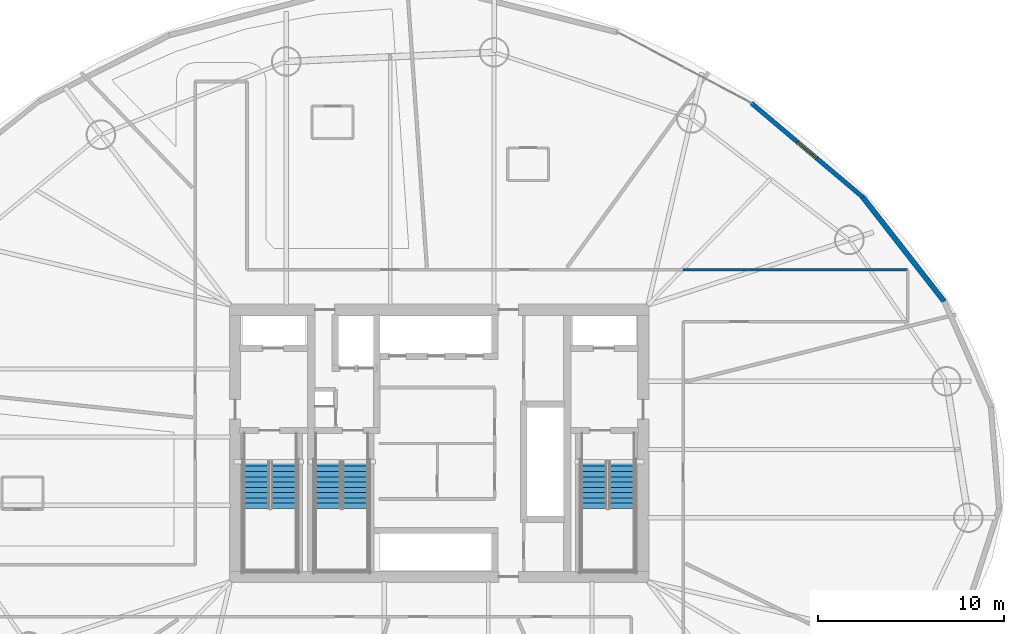
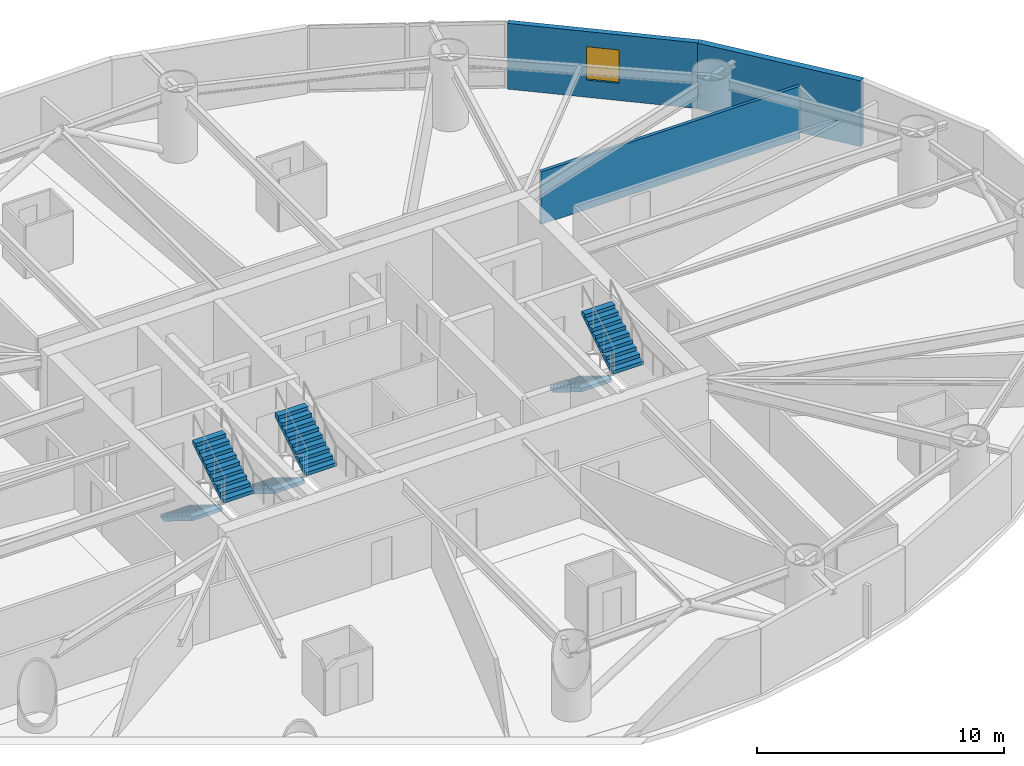
# One storey, part 15 of 19: 6 stair flights, 3 walls, 1 window, 1 opening, 3 elements without a shape of their own.
"""IFC4 building model written with IfcOpenShell, lengths in metres."""

from ifc_helpers import new_model, si_unit, direction, frame, frame_2d, origin, place, context, subcontext, project, spatial, polyline, rectangle, outline, extrude, material, layer, layer_set, type_object, element, fill, aggregate, save


model = new_model("IFC4")

# Units and contexts
model_context = context("Model", 3, precision=1e-05, world=origin(), true_north=direction((0.0, 1.0)))
body_context = subcontext(model_context, "Body", "Model", "MODEL_VIEW")
ifc_project = project(units=[si_unit("LENGTHUNIT", "METRE"), si_unit("AREAUNIT", "SQUARE_METRE"), si_unit("VOLUMEUNIT", "CUBIC_METRE"), si_unit("PLANEANGLEUNIT", "RADIAN"), si_unit("MASSUNIT", "GRAM", prefix="KILO")], contexts=[model_context])

# Site, building, storey
site_placement = place(None, origin())
site = spatial("IfcSite", under=ifc_project, at=site_placement, CompositionType="ELEMENT")
building_placement = place(site_placement, origin())
building = spatial("IfcBuilding", under=site, at=building_placement, Name="Bramvorn Convention Spire", CompositionType="ELEMENT")
storey_placement = place(building_placement, frame((0.0, 0.0, 62.39990234375)))
storey = spatial("IfcBuildingStorey", under=building, at=storey_placement, Name="L13", CompositionType="ELEMENT", Elevation=62.39990234375)

# Wall
ifc_material_1 = material(Name="Precast Concrete C40/50 with Bronze Terracotta Rainscreen", Category="masonry")
ifc_layer_1 = layer(ifc_material_1, 0.300048828125)
ifc_layer_set_1 = layer_set([ifc_layer_1], Name="Precast Concrete C40/50 with Bronze Terracotta Rainscreen - WL-EXT-BRONZE-300")
wall_type_1 = type_object("IfcWallType", Name="WL-EXT-BRONZE-300", PredefinedType="SOLIDWALL", material=ifc_layer_set_1)
wall_1_placement = place(storey_placement, frame((60.82080078125, 39.271484375, 0.0), z_axis=(0.0, 0.0, 1.0), x_axis=(0.615515355717, -0.788124892943, 0.0)))
element("IfcWall", 1, at=wall_1_placement, inside=storey, type_object=wall_type_1, Name="L13 expressed bronze Gothic lancet pier wall 03", PredefinedType="SOLIDWALL", context=body_context, shape_type="SweptSolid", body=[
    extrude(rectangle(XDim=7.142822265625, YDim=0.280029296875, at=frame_2d((3.5712890625, 0.0))), origin(), (0.0, 0.0, 1.0), 3.25),
])

# Wall, opening, window
wall_2_placement = place(storey_placement, frame((54.826171875, 44.331787109375, 0.0), z_axis=(0.0, 0.0, 1.0), x_axis=(0.764144788542, -0.645044759799, 0.0)))
wall_2 = element("IfcWall", 2, at=wall_2_placement, inside=storey, type_object=wall_type_1, Name="L13 bronze ceramic-frit spandrel & operable window bay 04", PredefinedType="SOLIDWALL", context=body_context, shape_type="SweptSolid", body=[
    extrude(rectangle(XDim=7.844970703125, YDim=0.239990234375, at=frame_2d((3.92236328125, 0.0))), origin(), (0.0, 0.0, 1.0), 3.25),
])
opening_placement = place(wall_2_placement, frame((3.247314453125, 0.0, 0.85009765625)))
opening = element("IfcOpeningElement", 3, at=opening_placement, cuts=wall_2, Name="Opening WN07", PredefinedType="OPENING", context=body_context, shape_type="SweptSolid", body=[
    extrude(rectangle(XDim=1.35009765625, YDim=1.64990234375, at=frame_2d((0.675048828125, 0.824951171875))), frame((0.0, 0.1298828125, 0.0), z_axis=(0.0, -1.0, 0.0), x_axis=(1.0, 0.0, 0.0)), (0.0, 0.0, 1.0), 0.260009765625),
])
ifc_material_2 = material(Name="Thermally Broken Bronze Aluminium & Triple Low-E Glass", Category="aluminium")
window_type = type_object("IfcWindowType", Name="WN-OP-1350X1650", PartitioningType="SINGLE_PANEL", PredefinedType="WINDOW", material=ifc_material_2)
window_placement = place(opening_placement, origin())
window = element("IfcWindow", 4, at=window_placement, inside=storey, type_object=window_type, Name="L13 operable parallel-vent window 04", OverallHeight=1.64990234375, OverallWidth=1.35009765625, PartitioningType="SINGLE_PANEL", PredefinedType="WINDOW", context=body_context, shape_type="SweptSolid", body=[
    extrude(rectangle(XDim=1.35009765625, YDim=1.64990234375, at=frame_2d((0.675048828125, 0.824951171875))), frame((0.0, 0.030029296875, 0.0), z_axis=(0.0, -1.0, 0.0), x_axis=(1.0, 0.0, 0.0)), (0.0, 0.0, 1.0), 0.06005859375),
])
fill(opening, window)

# Wall
ifc_material_3 = material(Name="Acoustic Metal-Stud Tenant/Corridor Partition", Category="gypsum")
ifc_layer_2 = layer(ifc_material_3, 0.14990234375)
ifc_layer_set_2 = layer_set([ifc_layer_2], Name="Acoustic Metal-Stud Tenant/Corridor Partition - WL-PART-150")
wall_type_2 = type_object("IfcWallType", Name="WL-PART-150", PredefinedType="PARTITIONING", material=ifc_layer_set_2)
wall_3_placement = place(storey_placement, frame((51.14990234375, 35.35009765625, 0.0), z_axis=(0.0, 0.0, 1.0), x_axis=(1.0, 0.0, 0.0)))
element("IfcWall", 5, at=wall_3_placement, inside=storey, type_object=wall_type_2, Name="L13 NE pinwheel wing north wall", PredefinedType="PARTITIONING", context=body_context, shape_type="SweptSolid", body=[
    extrude(rectangle(XDim=12.099853515625, YDim=0.14990234375, at=frame_2d((6.0498046875, 0.0))), origin(), (0.0, 0.0, 1.0), 2.60009765625),
])

# Stair, stair flights
ifc_material_4 = material(Name="Concrete C40/50 Precast Stair", Category="concrete")
stair_type = type_object("IfcStairType", Name="ST-TOWER-1550", PredefinedType="HALF_TURN_STAIR", material=ifc_material_4)
stair_1_placement = place(storey_placement, origin())
stair_1 = element("IfcStair", 6, at=stair_1_placement, inside=storey, type_object=stair_type, Name="L13 Protected Exit Stair ST1", PredefinedType="HALF_TURN_STAIR")
ifc_material_5 = material(Name="Concrete C40/50 Precast Stair Flight", Category="concrete")
stair_flight_type = type_object("IfcStairFlightType", Name="STF-TOWER-1550", PredefinedType="STRAIGHT", material=ifc_material_5)
stair_flight_1_placement = place(storey_placement, frame((28.155029296875, 25.050048828125, 0.0), z_axis=(0.0, 0.0, 1.0), x_axis=(0.0, -1.0, 0.0)))
stair_flight_1 = element("IfcStairFlight", 7, at=stair_flight_1_placement, type_object=stair_flight_type, Name="ST1 flight 1", NumberOfRisers=10, NumberOfTreads=9, PredefinedType="STRAIGHT", RiserHeight=0.175, TreadLength=0.285, context=body_context, shape_type="SweptSolid", body=[
    extrude(outline(polyline([(0.0, 0.0), (0.0, 0.175048828125), (0.284912109375, 0.175048828125), (0.284912109375, 0.35009765625), (0.570068359375, 0.35009765625), (0.570068359375, 0.52490234375), (0.85498046875, 0.52490234375), (0.85498046875, 0.699951171875), (1.139892578125, 0.699951171875), (1.139892578125, 0.875), (1.425048828125, 0.875), (1.425048828125, 1.050048828125), (1.7099609375, 1.050048828125), (1.7099609375, 1.22509765625), (1.9951171875, 1.22509765625), (1.9951171875, 1.39990234375), (2.280029296875, 1.39990234375), (2.280029296875, 1.574951171875), (2.56494140625, 1.574951171875), (2.56494140625, 1.75), (2.56494140625, 1.399169921875), (0.286376953125, 0.0), (0.0, 0.0)])), frame((0.0, 0.705078125, 0.0), z_axis=(0.0, -1.0, 0.0), x_axis=(1.0, 0.0, 0.0)), (0.0, 0.0, 1.0), 1.409912109375),
])
stair_flight_2_placement = place(storey_placement, frame((29.64501953125, 22.485107421875, 1.75), z_axis=(0.0, 0.0, 1.0), x_axis=(0.0, 1.0, 0.0)))
stair_flight_2 = element("IfcStairFlight", 8, at=stair_flight_2_placement, type_object=stair_flight_type, Name="ST1 flight 2", NumberOfRisers=10, NumberOfTreads=9, PredefinedType="STRAIGHT", RiserHeight=0.175, TreadLength=0.285, context=body_context, shape_type="SweptSolid", body=[
    extrude(outline(polyline([(0.0, 0.0), (0.0, 0.175048828125), (0.284912109375, 0.175048828125), (0.284912109375, 0.35009765625), (0.570068359375, 0.35009765625), (0.570068359375, 0.52490234375), (0.85498046875, 0.52490234375), (0.85498046875, 0.699951171875), (1.139892578125, 0.699951171875), (1.139892578125, 0.875), (1.425048828125, 0.875), (1.425048828125, 1.050048828125), (1.7099609375, 1.050048828125), (1.7099609375, 1.22509765625), (1.9951171875, 1.22509765625), (1.9951171875, 1.39990234375), (2.280029296875, 1.39990234375), (2.280029296875, 1.574951171875), (2.56494140625, 1.574951171875), (2.56494140625, 1.75), (2.56494140625, 1.399169921875), (0.286376953125, 0.0), (0.0, 0.0)])), frame((0.0, 0.705078125, 0.0), z_axis=(0.0, -1.0, 0.0), x_axis=(1.0, 0.0, 0.0)), (0.0, 0.0, 1.0), 1.409912109375),
])
aggregate(stair_1, [stair_flight_1, stair_flight_2])

stair_2_placement = place(storey_placement, origin())
stair_2 = element("IfcStair", 9, at=stair_2_placement, inside=storey, type_object=stair_type, Name="L13 Protected Exit Stair ST2", PredefinedType="HALF_TURN_STAIR")
stair_flight_3_placement = place(storey_placement, frame((46.35498046875, 25.050048828125, 0.0), z_axis=(0.0, 0.0, 1.0), x_axis=(0.0, -1.0, 0.0)))
stair_flight_3 = element("IfcStairFlight", 10, at=stair_flight_3_placement, type_object=stair_flight_type, Name="ST2 flight 1", NumberOfRisers=10, NumberOfTreads=9, PredefinedType="STRAIGHT", RiserHeight=0.175, TreadLength=0.285, context=body_context, shape_type="SweptSolid", body=[
    extrude(outline(polyline([(0.0, 0.0), (0.0, 0.175048828125), (0.284912109375, 0.175048828125), (0.284912109375, 0.35009765625), (0.570068359375, 0.35009765625), (0.570068359375, 0.52490234375), (0.85498046875, 0.52490234375), (0.85498046875, 0.699951171875), (1.139892578125, 0.699951171875), (1.139892578125, 0.875), (1.425048828125, 0.875), (1.425048828125, 1.050048828125), (1.7099609375, 1.050048828125), (1.7099609375, 1.22509765625), (1.9951171875, 1.22509765625), (1.9951171875, 1.39990234375), (2.280029296875, 1.39990234375), (2.280029296875, 1.574951171875), (2.56494140625, 1.574951171875), (2.56494140625, 1.75), (2.56494140625, 1.399169921875), (0.286376953125, 0.0), (0.0, 0.0)])), frame((0.0, 0.705078125, 0.0), z_axis=(0.0, -1.0, 0.0), x_axis=(1.0, 0.0, 0.0)), (0.0, 0.0, 1.0), 1.409912109375),
])
stair_flight_4_placement = place(storey_placement, frame((47.844970703125, 22.485107421875, 1.75), z_axis=(0.0, 0.0, 1.0), x_axis=(0.0, 1.0, 0.0)))
stair_flight_4 = element("IfcStairFlight", 11, at=stair_flight_4_placement, type_object=stair_flight_type, Name="ST2 flight 2", NumberOfRisers=10, NumberOfTreads=9, PredefinedType="STRAIGHT", RiserHeight=0.175, TreadLength=0.285, context=body_context, shape_type="SweptSolid", body=[
    extrude(outline(polyline([(0.0, 0.0), (0.0, 0.175048828125), (0.284912109375, 0.175048828125), (0.284912109375, 0.35009765625), (0.570068359375, 0.35009765625), (0.570068359375, 0.52490234375), (0.85498046875, 0.52490234375), (0.85498046875, 0.699951171875), (1.139892578125, 0.699951171875), (1.139892578125, 0.875), (1.425048828125, 0.875), (1.425048828125, 1.050048828125), (1.7099609375, 1.050048828125), (1.7099609375, 1.22509765625), (1.9951171875, 1.22509765625), (1.9951171875, 1.39990234375), (2.280029296875, 1.39990234375), (2.280029296875, 1.574951171875), (2.56494140625, 1.574951171875), (2.56494140625, 1.75), (2.56494140625, 1.399169921875), (0.286376953125, 0.0), (0.0, 0.0)])), frame((0.0, 0.705078125, 0.0), z_axis=(0.0, -1.0, 0.0), x_axis=(1.0, 0.0, 0.0)), (0.0, 0.0, 1.0), 1.409912109375),
])
aggregate(stair_2, [stair_flight_3, stair_flight_4])

stair_3_placement = place(storey_placement, origin())
stair_3 = element("IfcStair", 12, at=stair_3_placement, inside=storey, type_object=stair_type, Name="L13 Protected Exit Stair ST3", PredefinedType="HALF_TURN_STAIR")
stair_flight_5_placement = place(storey_placement, frame((32.0048828125, 25.050048828125, 0.0), z_axis=(0.0, 0.0, 1.0), x_axis=(0.0, -1.0, 0.0)))
stair_flight_5 = element("IfcStairFlight", 13, at=stair_flight_5_placement, type_object=stair_flight_type, Name="ST3 flight 1", NumberOfRisers=10, NumberOfTreads=9, PredefinedType="STRAIGHT", RiserHeight=0.175, TreadLength=0.285, context=body_context, shape_type="SweptSolid", body=[
    extrude(outline(polyline([(0.0, 0.0), (0.0, 0.175048828125), (0.284912109375, 0.175048828125), (0.284912109375, 0.35009765625), (0.570068359375, 0.35009765625), (0.570068359375, 0.52490234375), (0.85498046875, 0.52490234375), (0.85498046875, 0.699951171875), (1.139892578125, 0.699951171875), (1.139892578125, 0.875), (1.425048828125, 0.875), (1.425048828125, 1.050048828125), (1.7099609375, 1.050048828125), (1.7099609375, 1.22509765625), (1.9951171875, 1.22509765625), (1.9951171875, 1.39990234375), (2.280029296875, 1.39990234375), (2.280029296875, 1.574951171875), (2.56494140625, 1.574951171875), (2.56494140625, 1.75), (2.56494140625, 1.399169921875), (0.286376953125, 0.0), (0.0, 0.0)])), frame((0.0, 0.705078125, 0.0), z_axis=(0.0, -1.0, 0.0), x_axis=(1.0, 0.0, 0.0)), (0.0, 0.0, 1.0), 1.409912109375),
])
stair_flight_6_placement = place(storey_placement, frame((33.4951171875, 22.485107421875, 1.75), z_axis=(0.0, 0.0, 1.0), x_axis=(0.0, 1.0, 0.0)))
stair_flight_6 = element("IfcStairFlight", 14, at=stair_flight_6_placement, type_object=stair_flight_type, Name="ST3 flight 2", NumberOfRisers=10, NumberOfTreads=9, PredefinedType="STRAIGHT", RiserHeight=0.175, TreadLength=0.285, context=body_context, shape_type="SweptSolid", body=[
    extrude(outline(polyline([(0.0, 0.0), (0.0, 0.175048828125), (0.284912109375, 0.175048828125), (0.284912109375, 0.35009765625), (0.570068359375, 0.35009765625), (0.570068359375, 0.52490234375), (0.85498046875, 0.52490234375), (0.85498046875, 0.699951171875), (1.139892578125, 0.699951171875), (1.139892578125, 0.875), (1.425048828125, 0.875), (1.425048828125, 1.050048828125), (1.7099609375, 1.050048828125), (1.7099609375, 1.22509765625), (1.9951171875, 1.22509765625), (1.9951171875, 1.39990234375), (2.280029296875, 1.39990234375), (2.280029296875, 1.574951171875), (2.56494140625, 1.574951171875), (2.56494140625, 1.75), (2.56494140625, 1.399169921875), (0.286376953125, 0.0), (0.0, 0.0)])), frame((0.0, 0.705078125, 0.0), z_axis=(0.0, -1.0, 0.0), x_axis=(1.0, 0.0, 0.0)), (0.0, 0.0, 1.0), 1.409912109375),
])
aggregate(stair_3, [stair_flight_5, stair_flight_6])

save(model, "model.ifc")
